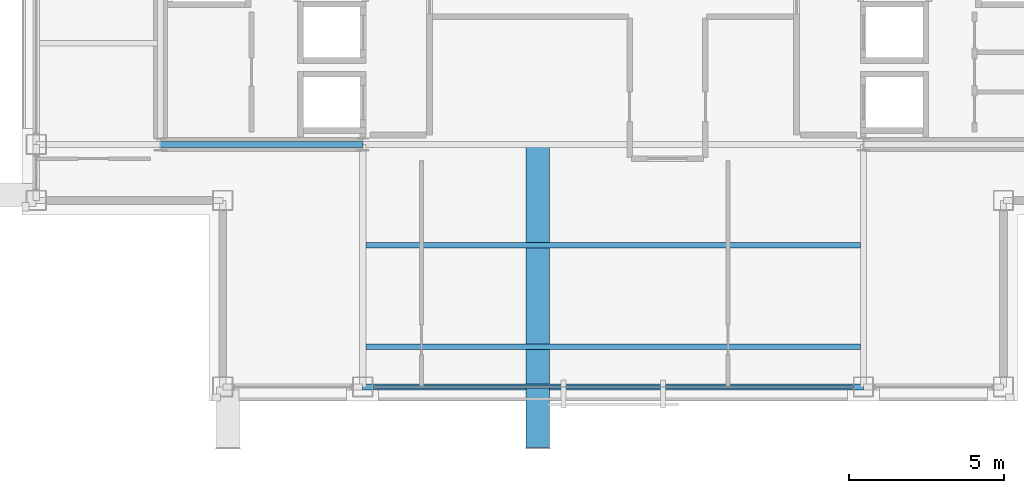
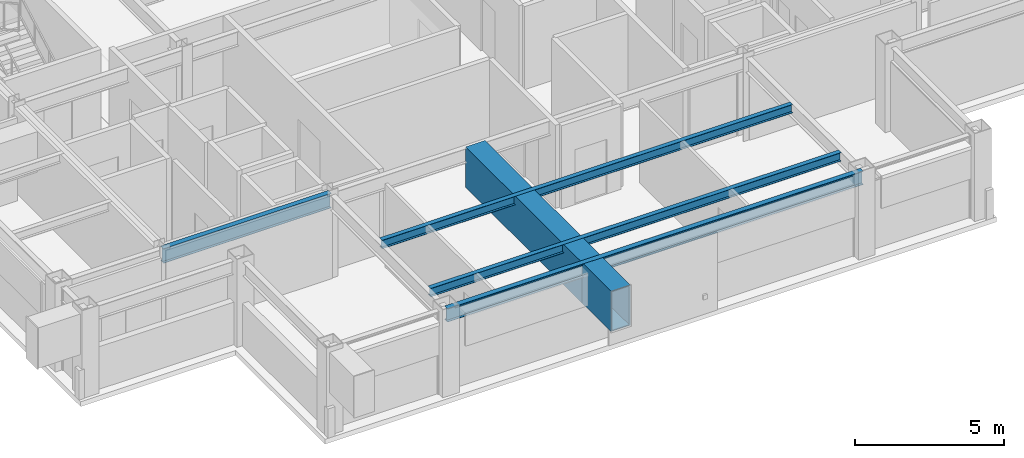
# One storey, part 4 of 20: 6 beams, 1 member, 1 element without a shape of its own.
"""IFC4 building model written with IfcOpenShell, lengths in metres."""

import ifcopenshell
import ifcopenshell.guid

model = None  # the IFC model being written
_history = None  # IfcOwnerHistory: only IFC2X3 demands one
_inside = {}  # id of a spatial element -> (the spatial element, [elements in it])
_under = {}  # id of a project, library or spatial element -> (it, [spatial elements below it])
_declared = {}  # id of a project -> (the project, [libraries it declares])
_typed = {}  # id of a type object -> (the type object, [elements of that type])
_made_of = {}  # id of a material, layer set ... -> (it, [elements and type objects made of it])


def new_model(schema):
    """Start an empty IFC model of exactly this schema.

    Asked for "IFC4X3", IfcOpenShell would pick the latest addendum, in which some entities
    have other attributes; the version numbers below select the first issue.
    IFC2X3 requires an IfcOwnerHistory on every rooted entity: one is made here for all.
    """
    global model, _history
    if schema == "IFC4X3":
        model = ifcopenshell.file(schema_version=(4, 3, 0, 0))
    else:
        model = ifcopenshell.file(schema=schema)
    _inside.clear()
    _under.clear()
    _declared.clear()
    _typed.clear()
    _made_of.clear()
    _history = None
    if model.schema == "IFC2X3":
        org = make("IfcOrganization", Name="unknown")
        user = make(
            "IfcPersonAndOrganization",
            ThePerson=make("IfcPerson", FamilyName="unknown"),
            TheOrganization=org,
        )
        app = make(
            "IfcApplication",
            ApplicationDeveloper=org,
            Version="unknown",
            ApplicationFullName="unknown",
            ApplicationIdentifier="unknown",
        )
        _history = make(
            "IfcOwnerHistory",
            OwningUser=user,
            OwningApplication=app,
            ChangeAction="ADDED",
            CreationDate=0,
        )
    return model


def make(cls, **values):
    """One entity of the class cls with the attributes given. An attribute that is None is left unset."""
    return model.create_entity(
        cls, **{name: value for name, value in values.items() if value is not None}
    )


def rooted(cls, **values):
    """An entity with a GlobalId (a new one), such as an element, a storey or a relation."""
    return make(cls, GlobalId=ifcopenshell.guid.new(), OwnerHistory=_history, **values)


def si_unit(unit_type, name, prefix=None):
    """IfcSIUnit, for example si_unit("LENGTHUNIT", "METRE", prefix="MILLI")."""
    return make("IfcSIUnit", UnitType=unit_type, Prefix=prefix, Name=name)


def assignment(units):
    """IfcUnitAssignment: the units of a project."""
    return None if units is None else make("IfcUnitAssignment", Units=units)


def point(xyz):
    """IfcCartesianPoint."""
    return None if xyz is None else make("IfcCartesianPoint", Coordinates=xyz)


def direction(xyz):
    """IfcDirection."""
    return None if xyz is None else make("IfcDirection", DirectionRatios=xyz)


def frame(location, z_axis=None, x_axis=None):
    """IfcAxis2Placement3D, a coordinate frame: its origin and axes. An axis left out is left unset."""
    return make(
        "IfcAxis2Placement3D",
        Location=point(location),
        Axis=direction(z_axis),
        RefDirection=direction(x_axis),
    )


def frame_2d(location, x_axis=None):
    """IfcAxis2Placement2D, a coordinate frame in the plane: its origin and x axis."""
    return make(
        "IfcAxis2Placement2D", Location=point(location), RefDirection=direction(x_axis)
    )


def origin():
    """The frame at (0, 0, 0) with its axes left unset."""
    return frame((0.0, 0.0, 0.0))


def origin_2d():
    """The frame at (0, 0) in the plane with its x axis left unset."""
    return frame_2d((0.0, 0.0))


def place(relative_to, where):
    """IfcLocalPlacement: puts the frame where relative to a parent placement (None: the world)."""
    return make(
        "IfcLocalPlacement", PlacementRelTo=relative_to, RelativePlacement=where
    )


def context(
    kind, dimensions, precision=None, world=None, true_north=None, identifier=None
):
    """IfcGeometricRepresentationContext, for example the 3D "Model" context."""
    return make(
        "IfcGeometricRepresentationContext",
        ContextIdentifier=identifier,
        ContextType=kind,
        CoordinateSpaceDimension=dimensions,
        Precision=precision,
        WorldCoordinateSystem=world,
        TrueNorth=true_north,
    )


def subcontext(parent, identifier, kind, view, scale=None):
    """IfcGeometricRepresentationSubContext, for example "Body" below "Model"."""
    return make(
        "IfcGeometricRepresentationSubContext",
        ContextIdentifier=identifier,
        ContextType=kind,
        ParentContext=parent,
        TargetScale=scale,
        TargetView=view,
    )


def project(units=None, contexts=None):
    """IfcProject with its units and contexts."""
    return rooted(
        "IfcProject",
        Name="project",
        RepresentationContexts=contexts,
        UnitsInContext=assignment(units),
    )


def spatial(cls, under=None, at=None, **own):
    """A site, building, storey or space (cls), placed at a placement, below another one or the project."""
    s = rooted(cls, ObjectPlacement=at, **own)
    if under is not None:
        _under.setdefault(under.id(), (under, []))[1].append(s)
    return s


def profile(cls, at=None, kind="AREA", **sizes):
    """A parametric profile (cls). Its sizes go by their IFC names, for example OverallWidth=200.0."""
    return make(cls, ProfileType=kind, Position=at, **sizes)


def hollow_rectangle(**sizes):
    """IfcRectangleHollowProfileDef."""
    return profile("IfcRectangleHollowProfileDef", **sizes)


def i_section(**sizes):
    """IfcIShapeProfileDef."""
    return profile("IfcIShapeProfileDef", **sizes)


def extrude(swept, where, along, depth):
    """IfcExtrudedAreaSolid: the profile swept, set in the frame where, extruded along a direction by depth."""
    return make(
        "IfcExtrudedAreaSolid",
        SweptArea=swept,
        Position=where,
        ExtrudedDirection=direction(along),
        Depth=depth,
    )


def shape(context_of_items, identifier, shape_type, items):
    """IfcShapeRepresentation: the items that make up one representation, for example the "Body"."""
    return make(
        "IfcShapeRepresentation",
        ContextOfItems=context_of_items,
        RepresentationIdentifier=identifier,
        RepresentationType=shape_type,
        Items=items,
    )


def material(Name=None, Category=None):
    """IfcMaterial."""
    return make("IfcMaterial", Name=Name, Category=Category)


def layer(
    of_material, thickness, ventilated=None, Name=None, Category=None, Priority=None
):
    """IfcMaterialLayer: one layer of a wall or slab, of a material (None: an air gap)."""
    return make(
        "IfcMaterialLayer",
        Material=of_material,
        LayerThickness=thickness,
        IsVentilated=ventilated,
        Name=Name,
        Category=Category,
        Priority=Priority,
    )


def layer_set(layers, Name=None):
    """IfcMaterialLayerSet."""
    return make("IfcMaterialLayerSet", MaterialLayers=layers, LayerSetName=Name)


def material_profile(
    of_material, cross_section, Name=None, Category=None, Priority=None
):
    """IfcMaterialProfile: a cross section and its material."""
    return make(
        "IfcMaterialProfile",
        Name=Name,
        Material=of_material,
        Profile=cross_section,
        Priority=Priority,
        Category=Category,
    )


def profile_set(profiles, Name=None, composite=None):
    """IfcMaterialProfileSet."""
    return make(
        "IfcMaterialProfileSet",
        Name=Name,
        MaterialProfiles=profiles,
        CompositeProfile=composite,
    )


def made_of(thing, what):
    """Note that an element or type object is made of a material, layer set ...; save() writes the relation."""
    if what is not None:
        _made_of.setdefault(what.id(), (what, []))[1].append(thing)
    return thing


def type_object(cls, material=None, **own):
    """A type object (cls), such as IfcWallType, which elements share."""
    return made_of(rooted(cls, **own), material)


def element(
    cls,
    number,
    at=None,
    inside=None,
    cuts=None,
    type_object=None,
    material=None,
    context=None,
    identifier="Body",
    shape_type=None,
    held_by="IfcProductDefinitionShape",
    body=None,
    shapes=None,
    **own,
):
    """One element of the class cls, such as IfcWall. Its Tag is "e" and its number.

    at: its placement. inside: the storey or other place that contains it. cuts: it is an
    opening in that element (IfcRelVoidsElement). A single representation is given by context,
    identifier, shape_type and body (its items); several are given by shapes. held_by: the class
    of the entity that holds the representations. save() writes the other relations.
    """
    e = rooted(cls, Tag="e%d" % number, ObjectPlacement=at, **own)
    if body is not None:
        shapes = [shape(context, identifier, shape_type, body)]
    if shapes is not None:
        e.Representation = make(held_by, Representations=shapes)
    if inside is not None:
        _inside.setdefault(inside.id(), (inside, []))[1].append(e)
    if cuts is not None:
        rooted(
            "IfcRelVoidsElement", RelatingBuildingElement=cuts, RelatedOpeningElement=e
        )
    if type_object is not None:
        _typed.setdefault(type_object.id(), (type_object, []))[1].append(e)
    return made_of(e, material)


def aggregate(whole, parts):
    """IfcRelAggregates: a whole, such as a stair, and the parts it consists of."""
    return rooted("IfcRelAggregates", RelatingObject=whole, RelatedObjects=parts)


def save(model, path):
    """Write the relations noted so far, then the file.

    IfcRelAggregates (storeys below a building ...), IfcRelContainedInSpatialStructure (elements
    in a storey), IfcRelDefinesByType, IfcRelAssociatesMaterial and IfcRelDeclares: one each for
    every whole, place, type object, material and project.
    """
    for whole, parts in _under.values():
        aggregate(whole, parts)
    for where, things in _inside.values():
        rooted(
            "IfcRelContainedInSpatialStructure",
            RelatedElements=things,
            RelatingStructure=where,
        )
    for kind, things in _typed.values():
        rooted("IfcRelDefinesByType", RelatedObjects=things, RelatingType=kind)
    for what, things in _made_of.values():
        rooted("IfcRelAssociatesMaterial", RelatedObjects=things, RelatingMaterial=what)
    for by, libraries in _declared.values():
        rooted("IfcRelDeclares", RelatingContext=by, RelatedDefinitions=libraries)
    model.write(path)


model = new_model("IFC4")

# Units and contexts
model_context = context("Model", 3, precision=1e-05, world=origin(), true_north=direction((0.0, 1.0)))
body_context = subcontext(model_context, "Body", "Model", "MODEL_VIEW")
ifc_project = project(units=[si_unit("LENGTHUNIT", "METRE"), si_unit("AREAUNIT", "SQUARE_METRE"), si_unit("VOLUMEUNIT", "CUBIC_METRE"), si_unit("PLANEANGLEUNIT", "RADIAN"), si_unit("MASSUNIT", "GRAM", prefix="KILO")], contexts=[model_context])

# Site, building, storey
site_placement = place(None, origin())
site = spatial("IfcSite", under=ifc_project, at=site_placement, CompositionType="ELEMENT")
building_placement = place(site_placement, origin())
building = spatial("IfcBuilding", under=site, at=building_placement, Name="Brelmoor Portico Tower", CompositionType="ELEMENT")
storey_placement = place(building_placement, frame((0.0, 0.0, 243.60009765625)))
storey = spatial("IfcBuildingStorey", under=building, at=storey_placement, Name="L64", CompositionType="ELEMENT", Elevation=243.60009765625)

# Beams
ifc_material_1 = material(Name="Steel Q355B", Category="steel")
ifc_material_profile_1 = material_profile(ifc_material_1, i_section(OverallWidth=0.175048828125, OverallDepth=0.35009765625, WebThickness=0.007080078125, FlangeThickness=0.010986328125, at=origin_2d()), Name="HN 350x175x7x11")
ifc_profile_set_1 = profile_set([ifc_material_profile_1], Name="Steel Q355B")
beam_type_1 = type_object("IfcBeamType", Name="BM-JS-350", PredefinedType="JOIST", material=ifc_profile_set_1)
for number, where, z_axis, x_axis, name in (
    (1, (-7.949951171875, -16.25, 3.224853515625), (1.0, 0.0, 0.0), (0.0, 1.0, 0.0), "L64 Secondary Composite Joist JS-C01"),
    (2, (-7.949951171875, -13.0, 3.224853515625), (1.0, 0.0, 0.0), (0.0, 1.0, 0.0), "L64 Secondary Composite Joist JS-C02"),
):
    element("IfcBeam", number, at=place(storey_placement, frame(where, z_axis=z_axis, x_axis=x_axis)), inside=storey, type_object=beam_type_1, Name=name, PredefinedType="JOIST", context=body_context, shape_type="SweptSolid", body=[
        extrude(i_section(OverallWidth=0.175048828125, OverallDepth=0.35009765625, WebThickness=0.007080078125, FlangeThickness=0.010986328125, at=origin_2d()), origin(), (0.0, 0.0, 1.0), 15.89990234375),
    ])
ifc_material_profile_2 = material_profile(ifc_material_1, hollow_rectangle(XDim=0.75, YDim=1.659912109375, WallThickness=0.0419921875, at=origin_2d()), Name="BOX 750x1660x42")
ifc_profile_set_2 = profile_set([ifc_material_profile_2], Name="Steel Q355B")
beam_type_2 = type_object("IfcBeamType", Name="BM-PF-CANT", PredefinedType="BEAM", material=ifc_profile_set_2)
beam_1_placement = place(storey_placement, frame((-2.419921875, -19.5, 2.56982421875), z_axis=(0.0, 1.0, 0.0), x_axis=(-1.0, 0.0, 0.0)))
element("IfcBeam", 3, at=beam_1_placement, inside=storey, type_object=beam_type_2, Name="L64 Picture-Frame Outrigger Transfer Cantilever PFB-02", PredefinedType="BEAM", context=body_context, shape_type="SweptSolid", body=[
    extrude(hollow_rectangle(XDim=0.75, YDim=1.659912109375, WallThickness=0.0419921875, at=origin_2d()), origin(), (0.0, 0.0, 1.0), 1.949951171875),
])
ifc_material_profile_3 = material_profile(ifc_material_1, i_section(OverallWidth=0.199951171875, OverallDepth=0.60009765625, WebThickness=0.010986328125, FlangeThickness=0.01708984375, at=origin_2d()), Name="HN 600x200x11x17")
ifc_profile_set_3 = profile_set([ifc_material_profile_3], Name="Steel Q355B")
beam_type_3 = type_object("IfcBeamType", Name="BM-PG-600", PredefinedType="BEAM", material=ifc_profile_set_3)
beam_2_placement = place(storey_placement, frame((-14.550048828125, -9.75, 3.099853515625), z_axis=(1.0, 0.0, 0.0), x_axis=(0.0, 1.0, 0.0)))
element("IfcBeam", 4, at=beam_2_placement, inside=storey, type_object=beam_type_3, Name="L64 Primary Floor Girder PG-12", PredefinedType="BEAM", context=body_context, shape_type="SweptSolid", body=[
    extrude(i_section(OverallWidth=0.199951171875, OverallDepth=0.60009765625, WebThickness=0.010986328125, FlangeThickness=0.01708984375, at=origin_2d()), origin(), (0.0, 0.0, 1.0), 6.5),
])
ifc_material_profile_4 = material_profile(ifc_material_1, i_section(OverallWidth=0.199951171875, OverallDepth=0.550048828125, WebThickness=0.010009765625, FlangeThickness=0.01611328125, at=origin_2d()), Name="HN 550x200x10x16")
ifc_profile_set_4 = profile_set([ifc_material_profile_4], Name="Steel Q355B")
beam_type_4 = type_object("IfcBeamType", Name="BM-SP-550", PredefinedType="SPANDREL", material=ifc_profile_set_4)
beam_3_placement = place(storey_placement, frame((-8.050048828125, -17.550048828125, 3.125), z_axis=(1.0, 0.0, 0.0), x_axis=(0.0, 1.0, 0.0)))
element("IfcBeam", 5, at=beam_3_placement, inside=storey, type_object=beam_type_4, Name="L64 Perimeter Spandrel Beam SP-02", PredefinedType="SPANDREL", context=body_context, shape_type="SweptSolid", body=[
    extrude(i_section(OverallWidth=0.199951171875, OverallDepth=0.550048828125, WebThickness=0.010009765625, FlangeThickness=0.01611328125, at=origin_2d()), origin(), (0.0, 0.0, 1.0), 16.10009765625),
])
ifc_material_profile_5 = material_profile(ifc_material_1, hollow_rectangle(XDim=0.75, YDim=1.659912109375, WallThickness=0.0419921875, at=origin_2d()), Name="BOX 750x1660x42")
ifc_profile_set_5 = profile_set([ifc_material_profile_5], Name="Steel Q355B")
beam_type_5 = type_object("IfcBeamType", Name="BM-TG-Z2", PredefinedType="BEAM", material=ifc_profile_set_5)
beam_4_placement = place(storey_placement, frame((-2.419921875, -17.550048828125, 2.56982421875), z_axis=(0.0, 1.0, 0.0), x_axis=(-1.0, 0.0, 0.0)))
element("IfcBeam", 6, at=beam_4_placement, inside=storey, type_object=beam_type_5, Name="L64 Picture-Frame Backspan Transfer Girder PFBS-02", PredefinedType="BEAM", context=body_context, shape_type="SweptSolid", body=[
    extrude(hollow_rectangle(XDim=0.75, YDim=1.659912109375, WallThickness=0.0419921875, at=origin_2d()), origin(), (0.0, 0.0, 1.0), 7.800048828125),
])

# Curtain wall, member
ifc_material_2 = material(Name="Anodised Aluminium Alloy 6063-T6", Category="aluminium")
ifc_layer = layer(ifc_material_2, 0.179931640625)
ifc_layer_set = layer_set([ifc_layer], Name="Anodised Aluminium Alloy 6063-T6")
curtain_wall_type = type_object("IfcCurtainWallType", Name="CW-TOWER-Z4-XB", PredefinedType="NOTDEFINED", material=ifc_layer_set)
curtain_wall_placement = place(storey_placement, origin())
curtain_wall = element("IfcCurtainWall", 7, at=curtain_wall_placement, inside=storey, type_object=curtain_wall_type, Name="L64 Curtain Wall CW-L64-01-2", PredefinedType="NOTDEFINED")
ifc_material_profile_6 = material_profile(ifc_material_2, hollow_rectangle(XDim=0.06005859375, YDim=0.125, WallThickness=0.00341796875, at=origin_2d()), Name="ALU TRANSOM 60x125")
ifc_profile_set_6 = profile_set([ifc_material_profile_6], Name="Anodised Aluminium Alloy 6063-T6")
member_type = type_object("IfcMemberType", Name="MB-CW-TRAN-125", PredefinedType="USERDEFINED", material=ifc_profile_set_6)
member_placement = place(storey_placement, frame((-7.715087890625, -17.550048828125, 3.33740234375), z_axis=(1.0, 0.0, 0.0), x_axis=(0.0, 1.0, 0.0)))
member = element("IfcMember", 8, at=member_placement, type_object=member_type, Name="CW-L64-01-2 Transom 1-00", ObjectType="TRANSOM", PredefinedType="USERDEFINED", context=body_context, shape_type="SweptSolid", body=[
    extrude(hollow_rectangle(XDim=0.06005859375, YDim=0.125, WallThickness=0.00341796875, at=origin_2d()), origin(), (0.0, 0.0, 1.0), 15.43017578125),
])
aggregate(curtain_wall, [member])

save(model, "model.ifc")
